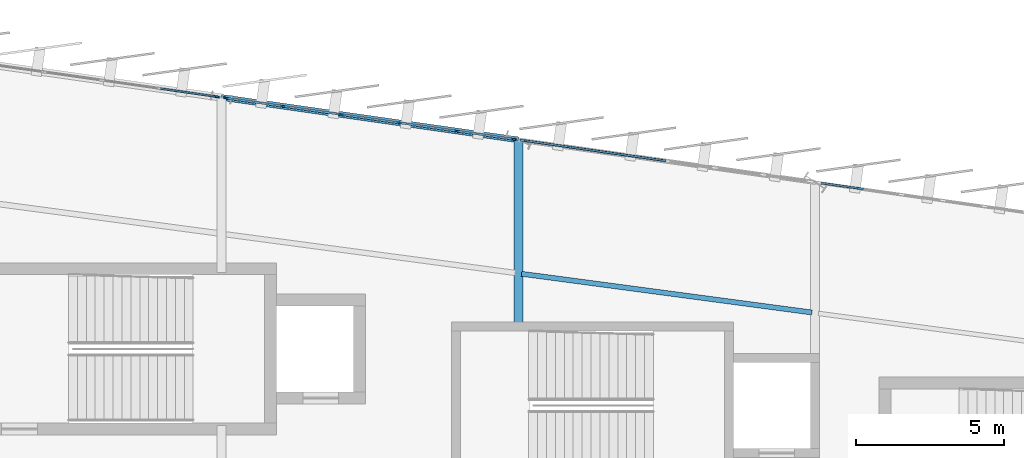
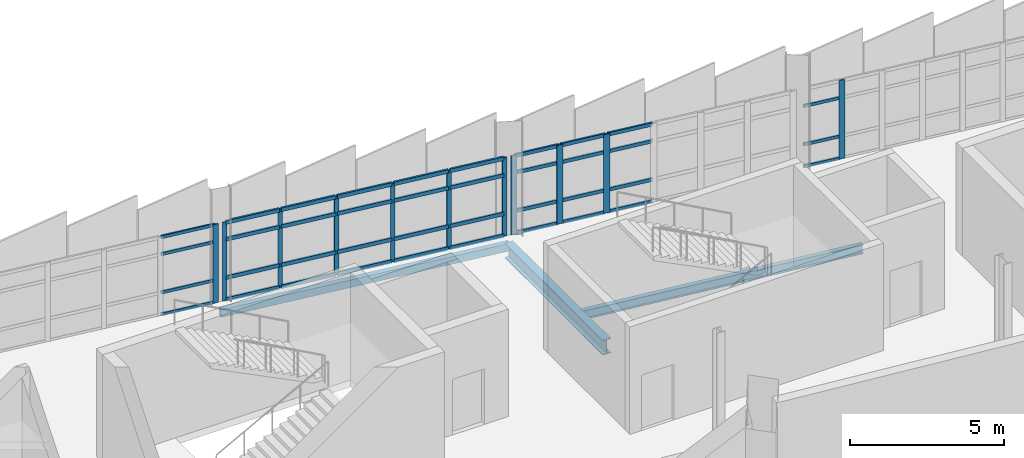
# One storey, part 59 of 134: 50 members, 3 beams, 4 elements without a shape of their own.
"""IFC4 building model written with IfcOpenShell, lengths in metres."""

from ifc_helpers import new_model, si_unit, direction, frame, origin, origin_2d, place, context, subcontext, project, spatial, rectangle, hollow_rectangle, i_section, extrude, material, layer, layer_set, material_profile, profile_set, type_object, element, aggregate, save


model = new_model("IFC4")

# Units and contexts
model_context = context("Model", 3, precision=1e-05, world=origin(), true_north=direction((0.0, 1.0)))
body_context = subcontext(model_context, "Body", "Model", "MODEL_VIEW")
ifc_project = project(units=[si_unit("LENGTHUNIT", "METRE"), si_unit("AREAUNIT", "SQUARE_METRE"), si_unit("VOLUMEUNIT", "CUBIC_METRE"), si_unit("PLANEANGLEUNIT", "RADIAN"), si_unit("MASSUNIT", "GRAM", prefix="KILO")], contexts=[model_context])

# Site, building, storey
site_placement = place(None, origin())
site = spatial("IfcSite", under=ifc_project, at=site_placement, CompositionType="ELEMENT")
building_placement = place(site_placement, origin())
building = spatial("IfcBuilding", under=site, at=building_placement, Name="Sohan Crest Arena", CompositionType="ELEMENT")
storey_placement = place(building_placement, frame((0.0, 0.0, 4.5)))
storey = spatial("IfcBuildingStorey", under=building, at=storey_placement, Name="L01", CompositionType="ELEMENT", Elevation=4.5)

# Curtain wall, members
ifc_material_1 = material(Name="Thermally broken anodised aluminium", Category="aluminium")
ifc_layer_1 = layer(ifc_material_1, 0.219970703125, Name="Thermally broken anodised aluminium")
ifc_layer_set_1 = layer_set([ifc_layer_1], Name="Thermally broken anodised aluminium")
curtain_wall_type_1 = type_object("IfcCurtainWallType", Name="ARC-CW03", PredefinedType="NOTDEFINED", material=ifc_layer_set_1)
curtain_wall_1_placement = place(storey_placement, origin())
curtain_wall_1 = element("IfcCurtainWall", 1, at=curtain_wall_1_placement, inside=storey, type_object=curtain_wall_type_1, Name="Unitised curtain wall CW-048", PredefinedType="NOTDEFINED")
ifc_material_profile_1 = material_profile(ifc_material_1, rectangle(XDim=0.06005859375, YDim=0.159912109375, at=origin_2d()), Name="ALU-MULL 60x160")
ifc_profile_set_1 = profile_set([ifc_material_profile_1], Name="Thermally broken anodised aluminium")
member_type_1 = type_object("IfcMemberType", Name="ARC-CW-ML01", PredefinedType="MULLION", material=ifc_profile_set_1)
member_1_placement = place(storey_placement, frame((117.84130859375, 123.165283203125, 0.0), z_axis=(0.0, 0.0, 1.0), x_axis=(-0.141449808729, -0.989945428602, 0.0)))
member_1 = element("IfcMember", 2, at=member_1_placement, type_object=member_type_1, Name="CW-048 mullion 1", PredefinedType="MULLION", context=body_context, shape_type="SweptSolid", body=[
    extrude(rectangle(XDim=0.06005859375, YDim=0.159912109375, at=origin_2d()), origin(), (0.0, 0.0, 1.0), 3.1201171875),
])
member_2_placement = place(storey_placement, frame((115.922607421875, 123.439453125, 0.0), z_axis=(0.0, 0.0, 1.0), x_axis=(-0.141449808729, -0.989945428602, 0.0)))
member_2 = element("IfcMember", 3, at=member_2_placement, type_object=member_type_1, Name="CW-048 mullion 2", PredefinedType="MULLION", context=body_context, shape_type="SweptSolid", body=[
    extrude(rectangle(XDim=0.06005859375, YDim=0.159912109375, at=origin_2d()), origin(), (0.0, 0.0, 1.0), 3.1201171875),
])
member_3_placement = place(storey_placement, frame((113.97412109375, 123.7177734375, 0.0), z_axis=(0.0, 0.0, 1.0), x_axis=(-0.141449808729, -0.989945428602, 0.0)))
member_3 = element("IfcMember", 4, at=member_3_placement, type_object=member_type_1, Name="CW-048 mullion 3", PredefinedType="MULLION", context=body_context, shape_type="SweptSolid", body=[
    extrude(rectangle(XDim=0.06005859375, YDim=0.159912109375, at=origin_2d()), origin(), (0.0, 0.0, 1.0), 3.1201171875),
])
member_4_placement = place(storey_placement, frame((112.02587890625, 123.99609375, 0.0), z_axis=(0.0, 0.0, 1.0), x_axis=(-0.141449808729, -0.989945428602, 0.0)))
member_4 = element("IfcMember", 5, at=member_4_placement, type_object=member_type_1, Name="CW-048 mullion 4", PredefinedType="MULLION", context=body_context, shape_type="SweptSolid", body=[
    extrude(rectangle(XDim=0.06005859375, YDim=0.159912109375, at=origin_2d()), origin(), (0.0, 0.0, 1.0), 3.1201171875),
])
member_5_placement = place(storey_placement, frame((110.077392578125, 124.274658203125, 0.0), z_axis=(0.0, 0.0, 1.0), x_axis=(-0.141449808729, -0.989945428602, 0.0)))
member_5 = element("IfcMember", 6, at=member_5_placement, type_object=member_type_1, Name="CW-048 mullion 5", PredefinedType="MULLION", context=body_context, shape_type="SweptSolid", body=[
    extrude(rectangle(XDim=0.06005859375, YDim=0.159912109375, at=origin_2d()), origin(), (0.0, 0.0, 1.0), 3.1201171875),
])
member_6_placement = place(storey_placement, frame((108.15869140625, 124.548828125, 0.0), z_axis=(0.0, 0.0, 1.0), x_axis=(-0.141449808729, -0.989945428602, 0.0)))
member_6 = element("IfcMember", 7, at=member_6_placement, type_object=member_type_1, Name="CW-048 mullion 6", PredefinedType="MULLION", context=body_context, shape_type="SweptSolid", body=[
    extrude(rectangle(XDim=0.06005859375, YDim=0.159912109375, at=origin_2d()), origin(), (0.0, 0.0, 1.0), 3.1201171875),
])

# Curtain wall, member
ifc_layer_2 = layer(ifc_material_1, 0.239990234375, Name="Thermally broken anodised aluminium")
ifc_layer_set_2 = layer_set([ifc_layer_2], Name="Thermally broken anodised aluminium")
curtain_wall_type_2 = type_object("IfcCurtainWallType", Name="ARC-CW04", PredefinedType="NOTDEFINED", material=ifc_layer_set_2)
curtain_wall_2_placement = place(storey_placement, origin())
curtain_wall_2 = element("IfcCurtainWall", 8, at=curtain_wall_2_placement, inside=storey, type_object=curtain_wall_type_2, Name="Unitised curtain wall CW-049", PredefinedType="NOTDEFINED")
ifc_material_profile_2 = material_profile(ifc_material_1, rectangle(XDim=0.06494140625, YDim=0.179931640625, at=origin_2d()), Name="ALU-MULL 65x180")
ifc_profile_set_2 = profile_set([ifc_material_profile_2], Name="Thermally broken anodised aluminium")
member_type_2 = type_object("IfcMemberType", Name="ARC-CW-ML02", PredefinedType="MULLION", material=ifc_profile_set_2)
member_7_placement = place(storey_placement, frame((107.8388671875, 124.593505859375, 0.0), z_axis=(0.0, 0.0, 1.0), x_axis=(-0.141549389674, -0.989931194722, 0.0)))
member_7 = element("IfcMember", 9, at=member_7_placement, type_object=member_type_2, Name="CW-049 mullion 1", PredefinedType="MULLION", context=body_context, shape_type="SweptSolid", body=[
    extrude(rectangle(XDim=0.06494140625, YDim=0.179931640625, at=origin_2d()), origin(), (0.0, 0.0, 1.0), 3.1201171875),
])

ifc_layer_3 = layer(ifc_material_1, 0.179931640625, Name="Thermally broken anodised aluminium")
ifc_layer_set_3 = layer_set([ifc_layer_3], Name="Thermally broken anodised aluminium")
curtain_wall_type_3 = type_object("IfcCurtainWallType", Name="ARC-CW01", PredefinedType="NOTDEFINED", material=ifc_layer_set_3)
curtain_wall_3_placement = place(storey_placement, origin())
curtain_wall_3 = element("IfcCurtainWall", 10, at=curtain_wall_3_placement, inside=storey, type_object=curtain_wall_type_3, Name="Unitised curtain wall CW-046", PredefinedType="NOTDEFINED")
ifc_material_profile_3 = material_profile(ifc_material_1, rectangle(XDim=0.070068359375, YDim=0.199951171875, at=origin_2d()), Name="ALU-MULL 70x200")
ifc_profile_set_3 = profile_set([ifc_material_profile_3], Name="Thermally broken anodised aluminium")
member_type_3 = type_object("IfcMemberType", Name="ARC-CW-ML03", PredefinedType="MULLION", material=ifc_profile_set_3)
member_8_placement = place(storey_placement, frame((129.520751953125, 121.4970703125, 0.0), z_axis=(0.0, 0.0, 1.0), x_axis=(-0.141449808729, -0.989945428602, 0.0)))
member_8 = element("IfcMember", 11, at=member_8_placement, type_object=member_type_3, Name="CW-046 mullion 7", PredefinedType="MULLION", context=body_context, shape_type="SweptSolid", body=[
    extrude(rectangle(XDim=0.070068359375, YDim=0.199951171875, at=origin_2d()), origin(), (0.0, 0.0, 1.0), 3.1201171875),
])

# Curtain wall, members
ifc_layer_4 = layer(ifc_material_1, 0.199951171875, Name="Thermally broken anodised aluminium")
ifc_layer_set_4 = layer_set([ifc_layer_4], Name="Thermally broken anodised aluminium")
curtain_wall_type_4 = type_object("IfcCurtainWallType", Name="ARC-CW02", PredefinedType="NOTDEFINED", material=ifc_layer_set_4)
curtain_wall_4_placement = place(storey_placement, origin())
curtain_wall_4 = element("IfcCurtainWall", 12, at=curtain_wall_4_placement, inside=storey, type_object=curtain_wall_type_4, Name="Unitised curtain wall CW-047", PredefinedType="NOTDEFINED")
ifc_material_profile_4 = material_profile(ifc_material_1, rectangle(XDim=0.074951171875, YDim=0.219970703125, at=origin_2d()), Name="ALU-MULL 75x220")
ifc_profile_set_4 = profile_set([ifc_material_profile_4], Name="Thermally broken anodised aluminium")
member_type_4 = type_object("IfcMemberType", Name="ARC-CW-ML04", PredefinedType="MULLION", material=ifc_profile_set_4)
member_9_placement = place(storey_placement, frame((121.376220703125, 122.66064453125, 0.0), z_axis=(0.0, 0.0, 1.0), x_axis=(-0.141549389674, -0.989931194722, 0.0)))
member_9 = element("IfcMember", 13, at=member_9_placement, type_object=member_type_4, Name="CW-047 mullion 5", PredefinedType="MULLION", context=body_context, shape_type="SweptSolid", body=[
    extrude(rectangle(XDim=0.074951171875, YDim=0.219970703125, at=origin_2d()), origin(), (0.0, 0.0, 1.0), 3.1201171875),
])
member_10_placement = place(storey_placement, frame((119.752685546875, 122.892822265625, 0.0), z_axis=(0.0, 0.0, 1.0), x_axis=(-0.141549389674, -0.989931194722, 0.0)))
member_10 = element("IfcMember", 14, at=member_10_placement, type_object=member_type_4, Name="CW-047 mullion 6", PredefinedType="MULLION", context=body_context, shape_type="SweptSolid", body=[
    extrude(rectangle(XDim=0.074951171875, YDim=0.219970703125, at=origin_2d()), origin(), (0.0, 0.0, 1.0), 3.1201171875),
])
member_11_placement = place(storey_placement, frame((118.166015625, 123.11962890625, 0.0), z_axis=(0.0, 0.0, 1.0), x_axis=(-0.141549389674, -0.989931194722, 0.0)))
member_11 = element("IfcMember", 15, at=member_11_placement, type_object=member_type_4, Name="CW-047 mullion 7", PredefinedType="MULLION", context=body_context, shape_type="SweptSolid", body=[
    extrude(rectangle(XDim=0.074951171875, YDim=0.219970703125, at=origin_2d()), origin(), (0.0, 0.0, 1.0), 3.1201171875),
])

# Member
ifc_material_profile_5 = material_profile(ifc_material_1, rectangle(XDim=0.06005859375, YDim=0.1201171875, at=origin_2d()), Name="ALU-TRAN 60x120")
ifc_profile_set_5 = profile_set([ifc_material_profile_5], Name="Thermally broken anodised aluminium")
member_type_5 = type_object("IfcMemberType", Name="ARC-CW-TR01", PredefinedType="USERDEFINED", material=ifc_profile_set_5)
member_12_placement = place(storey_placement, frame((129.486083984375, 121.502197265625, 0.030029296875), z_axis=(-0.989964501762, 0.141316259683, 0.0), x_axis=(-0.141316259683, -0.989964501762, 0.0)))
member_12 = element("IfcMember", 16, at=member_12_placement, type_object=member_type_5, Name="CW-046 transom 7.1", ObjectType="TRANSOM", PredefinedType="USERDEFINED", context=body_context, shape_type="SweptSolid", body=[
    extrude(rectangle(XDim=0.06005859375, YDim=0.1201171875, at=origin_2d()), origin(), (0.0, 0.0, 1.0), 1.30078125),
])

member_13_placement = place(storey_placement, frame((129.486083984375, 121.502197265625, 0.89990234375), z_axis=(-0.989964501762, 0.141316259683, 0.0), x_axis=(-0.141316259683, -0.989964501762, 0.0)))
member_13 = element("IfcMember", 17, at=member_13_placement, type_object=member_type_5, Name="CW-046 transom 7.2", ObjectType="TRANSOM", PredefinedType="USERDEFINED", context=body_context, shape_type="SweptSolid", body=[
    extrude(rectangle(XDim=0.06005859375, YDim=0.1201171875, at=origin_2d()), origin(), (0.0, 0.0, 1.0), 1.30078125),
])

member_14_placement = place(storey_placement, frame((129.486083984375, 121.502197265625, 2.419921875), z_axis=(-0.989964501762, 0.141316259683, 0.0), x_axis=(-0.141316259683, -0.989964501762, 0.0)))
member_14 = element("IfcMember", 18, at=member_14_placement, type_object=member_type_5, Name="CW-046 transom 7.3", ObjectType="TRANSOM", PredefinedType="USERDEFINED", context=body_context, shape_type="SweptSolid", body=[
    extrude(rectangle(XDim=0.06005859375, YDim=0.1201171875, at=origin_2d()), origin(), (0.0, 0.0, 1.0), 1.30078125),
])

aggregate(curtain_wall_3, [member_8, member_12, member_13, member_14])

member_15_placement = place(storey_placement, frame((107.806640625, 124.59814453125, 0.030029296875), z_axis=(-0.989923374667, 0.141604068756, 0.0), x_axis=(-0.141604068756, -0.989923374667, 0.0)))
member_15 = element("IfcMember", 19, at=member_15_placement, type_object=member_type_5, Name="CW-049 transom 1.1", ObjectType="TRANSOM", PredefinedType="USERDEFINED", context=body_context, shape_type="SweptSolid", body=[
    extrude(rectangle(XDim=0.06005859375, YDim=0.1201171875, at=origin_2d()), origin(), (0.0, 0.0, 1.0), 1.87060546875),
])

member_16_placement = place(storey_placement, frame((107.806640625, 124.59814453125, 0.89990234375), z_axis=(-0.989923374667, 0.141604068756, 0.0), x_axis=(-0.141604068756, -0.989923374667, 0.0)))
member_16 = element("IfcMember", 20, at=member_16_placement, type_object=member_type_5, Name="CW-049 transom 1.2", ObjectType="TRANSOM", PredefinedType="USERDEFINED", context=body_context, shape_type="SweptSolid", body=[
    extrude(rectangle(XDim=0.06005859375, YDim=0.1201171875, at=origin_2d()), origin(), (0.0, 0.0, 1.0), 1.87060546875),
])

member_17_placement = place(storey_placement, frame((107.806640625, 124.59814453125, 2.419921875), z_axis=(-0.989923374667, 0.141604068756, 0.0), x_axis=(-0.141604068756, -0.989923374667, 0.0)))
member_17 = element("IfcMember", 21, at=member_17_placement, type_object=member_type_5, Name="CW-049 transom 1.3", ObjectType="TRANSOM", PredefinedType="USERDEFINED", context=body_context, shape_type="SweptSolid", body=[
    extrude(rectangle(XDim=0.06005859375, YDim=0.1201171875, at=origin_2d()), origin(), (0.0, 0.0, 1.0), 1.87060546875),
])

member_18_placement = place(storey_placement, frame((107.806640625, 124.59814453125, 3.090087890625), z_axis=(-0.989923374667, 0.141604068756, 0.0), x_axis=(-0.141604068756, -0.989923374667, 0.0)))
member_18 = element("IfcMember", 22, at=member_18_placement, type_object=member_type_5, Name="CW-049 transom 1.4", ObjectType="TRANSOM", PredefinedType="USERDEFINED", context=body_context, shape_type="SweptSolid", body=[
    extrude(rectangle(XDim=0.06005859375, YDim=0.1201171875, at=origin_2d()), origin(), (0.0, 0.0, 1.0), 1.87060546875),
])

aggregate(curtain_wall_2, [member_7, member_15, member_16, member_17, member_18])

ifc_material_profile_6 = material_profile(ifc_material_1, rectangle(XDim=0.06494140625, YDim=0.139892578125, at=origin_2d()), Name="ALU-TRAN 65x140")
ifc_profile_set_6 = profile_set([ifc_material_profile_6], Name="Thermally broken anodised aluminium")
member_type_6 = type_object("IfcMemberType", Name="ARC-CW-TR02", PredefinedType="USERDEFINED", material=ifc_profile_set_6)
member_19_placement = place(storey_placement, frame((122.962890625, 122.433837890625, 0.032470703125), z_axis=(-0.989940131832, 0.141486873554, 0.0), x_axis=(-0.141486873554, -0.989940131832, 0.0)))
member_19 = element("IfcMember", 23, at=member_19_placement, type_object=member_type_6, Name="CW-047 transom 4.1", ObjectType="TRANSOM", PredefinedType="USERDEFINED", context=body_context, shape_type="SweptSolid", body=[
    extrude(rectangle(XDim=0.06494140625, YDim=0.139892578125, at=origin_2d()), origin(), (0.0, 0.0, 1.0), 1.56494140625),
])

member_20_placement = place(storey_placement, frame((122.962890625, 122.433837890625, 0.89990234375), z_axis=(-0.989940131832, 0.141486873554, 0.0), x_axis=(-0.141486873554, -0.989940131832, 0.0)))
member_20 = element("IfcMember", 24, at=member_20_placement, type_object=member_type_6, Name="CW-047 transom 4.2", ObjectType="TRANSOM", PredefinedType="USERDEFINED", context=body_context, shape_type="SweptSolid", body=[
    extrude(rectangle(XDim=0.06494140625, YDim=0.139892578125, at=origin_2d()), origin(), (0.0, 0.0, 1.0), 1.56494140625),
])

member_21_placement = place(storey_placement, frame((122.962890625, 122.433837890625, 2.419921875), z_axis=(-0.989940131832, 0.141486873554, 0.0), x_axis=(-0.141486873554, -0.989940131832, 0.0)))
member_21 = element("IfcMember", 25, at=member_21_placement, type_object=member_type_6, Name="CW-047 transom 4.3", ObjectType="TRANSOM", PredefinedType="USERDEFINED", context=body_context, shape_type="SweptSolid", body=[
    extrude(rectangle(XDim=0.06494140625, YDim=0.139892578125, at=origin_2d()), origin(), (0.0, 0.0, 1.0), 1.56494140625),
])

member_22_placement = place(storey_placement, frame((122.962890625, 122.433837890625, 3.08740234375), z_axis=(-0.989940131832, 0.141486873554, 0.0), x_axis=(-0.141486873554, -0.989940131832, 0.0)))
member_22 = element("IfcMember", 26, at=member_22_placement, type_object=member_type_6, Name="CW-047 transom 4.4", ObjectType="TRANSOM", PredefinedType="USERDEFINED", context=body_context, shape_type="SweptSolid", body=[
    extrude(rectangle(XDim=0.06494140625, YDim=0.139892578125, at=origin_2d()), origin(), (0.0, 0.0, 1.0), 1.56494140625),
])

member_23_placement = place(storey_placement, frame((121.339111328125, 122.666015625, 0.032470703125), z_axis=(-0.989940131832, 0.141486873554, 0.0), x_axis=(-0.141486873554, -0.989940131832, 0.0)))
member_23 = element("IfcMember", 27, at=member_23_placement, type_object=member_type_6, Name="CW-047 transom 5.1", ObjectType="TRANSOM", PredefinedType="USERDEFINED", context=body_context, shape_type="SweptSolid", body=[
    extrude(rectangle(XDim=0.06494140625, YDim=0.139892578125, at=origin_2d()), origin(), (0.0, 0.0, 1.0), 1.56494140625),
])

member_24_placement = place(storey_placement, frame((121.339111328125, 122.666015625, 0.89990234375), z_axis=(-0.989940131832, 0.141486873554, 0.0), x_axis=(-0.141486873554, -0.989940131832, 0.0)))
member_24 = element("IfcMember", 28, at=member_24_placement, type_object=member_type_6, Name="CW-047 transom 5.2", ObjectType="TRANSOM", PredefinedType="USERDEFINED", context=body_context, shape_type="SweptSolid", body=[
    extrude(rectangle(XDim=0.06494140625, YDim=0.139892578125, at=origin_2d()), origin(), (0.0, 0.0, 1.0), 1.56494140625),
])

member_25_placement = place(storey_placement, frame((121.339111328125, 122.666015625, 2.419921875), z_axis=(-0.989940131832, 0.141486873554, 0.0), x_axis=(-0.141486873554, -0.989940131832, 0.0)))
member_25 = element("IfcMember", 29, at=member_25_placement, type_object=member_type_6, Name="CW-047 transom 5.3", ObjectType="TRANSOM", PredefinedType="USERDEFINED", context=body_context, shape_type="SweptSolid", body=[
    extrude(rectangle(XDim=0.06494140625, YDim=0.139892578125, at=origin_2d()), origin(), (0.0, 0.0, 1.0), 1.56494140625),
])

member_26_placement = place(storey_placement, frame((121.339111328125, 122.666015625, 3.08740234375), z_axis=(-0.989940131832, 0.141486873554, 0.0), x_axis=(-0.141486873554, -0.989940131832, 0.0)))
member_26 = element("IfcMember", 30, at=member_26_placement, type_object=member_type_6, Name="CW-047 transom 5.4", ObjectType="TRANSOM", PredefinedType="USERDEFINED", context=body_context, shape_type="SweptSolid", body=[
    extrude(rectangle(XDim=0.06494140625, YDim=0.139892578125, at=origin_2d()), origin(), (0.0, 0.0, 1.0), 1.56494140625),
])

member_27_placement = place(storey_placement, frame((119.715576171875, 122.898193359375, 0.032470703125), z_axis=(-0.989927110041, 0.141577953107, 0.0), x_axis=(-0.141577953107, -0.989927110041, 0.0)))
member_27 = element("IfcMember", 31, at=member_27_placement, type_object=member_type_6, Name="CW-047 transom 6.1", ObjectType="TRANSOM", PredefinedType="USERDEFINED", context=body_context, shape_type="SweptSolid", body=[
    extrude(rectangle(XDim=0.06494140625, YDim=0.139892578125, at=origin_2d()), origin(), (0.0, 0.0, 1.0), 1.52783203125),
])

member_28_placement = place(storey_placement, frame((119.715576171875, 122.898193359375, 0.89990234375), z_axis=(-0.989927110041, 0.141577953107, 0.0), x_axis=(-0.141577953107, -0.989927110041, 0.0)))
member_28 = element("IfcMember", 32, at=member_28_placement, type_object=member_type_6, Name="CW-047 transom 6.2", ObjectType="TRANSOM", PredefinedType="USERDEFINED", context=body_context, shape_type="SweptSolid", body=[
    extrude(rectangle(XDim=0.06494140625, YDim=0.139892578125, at=origin_2d()), origin(), (0.0, 0.0, 1.0), 1.52783203125),
])

member_29_placement = place(storey_placement, frame((119.715576171875, 122.898193359375, 2.419921875), z_axis=(-0.989927110041, 0.141577953107, 0.0), x_axis=(-0.141577953107, -0.989927110041, 0.0)))
member_29 = element("IfcMember", 33, at=member_29_placement, type_object=member_type_6, Name="CW-047 transom 6.3", ObjectType="TRANSOM", PredefinedType="USERDEFINED", context=body_context, shape_type="SweptSolid", body=[
    extrude(rectangle(XDim=0.06494140625, YDim=0.139892578125, at=origin_2d()), origin(), (0.0, 0.0, 1.0), 1.52783203125),
])

member_30_placement = place(storey_placement, frame((119.715576171875, 122.898193359375, 3.08740234375), z_axis=(-0.989927110041, 0.141577953107, 0.0), x_axis=(-0.141577953107, -0.989927110041, 0.0)))
member_30 = element("IfcMember", 34, at=member_30_placement, type_object=member_type_6, Name="CW-047 transom 6.4", ObjectType="TRANSOM", PredefinedType="USERDEFINED", context=body_context, shape_type="SweptSolid", body=[
    extrude(rectangle(XDim=0.06494140625, YDim=0.139892578125, at=origin_2d()), origin(), (0.0, 0.0, 1.0), 1.52783203125),
])

aggregate(curtain_wall_4, [member_9, member_10, member_11, member_19, member_20, member_21, member_22, member_23, member_24, member_25, member_26, member_27, member_28, member_29, member_30])

ifc_material_profile_7 = material_profile(ifc_material_1, rectangle(XDim=0.070068359375, YDim=0.14990234375, at=origin_2d()), Name="ALU-TRAN 70x150")
ifc_profile_set_7 = profile_set([ifc_material_profile_7], Name="Thermally broken anodised aluminium")
member_type_7 = type_object("IfcMemberType", Name="ARC-CW-TR03", PredefinedType="USERDEFINED", material=ifc_profile_set_7)
member_31_placement = place(storey_placement, frame((117.8115234375, 123.16943359375, 0.034912109375), z_axis=(-0.989946893502, 0.141439556156, 0.0), x_axis=(-0.141439556156, -0.989946893502, 0.0)))
member_31 = element("IfcMember", 35, at=member_31_placement, type_object=member_type_7, Name="CW-048 transom 1.1", ObjectType="TRANSOM", PredefinedType="USERDEFINED", context=body_context, shape_type="SweptSolid", body=[
    extrude(rectangle(XDim=0.070068359375, YDim=0.14990234375, at=origin_2d()), origin(), (0.0, 0.0, 1.0), 1.8779296875),
])

member_32_placement = place(storey_placement, frame((117.8115234375, 123.16943359375, 0.89990234375), z_axis=(-0.989946893502, 0.141439556156, 0.0), x_axis=(-0.141439556156, -0.989946893502, 0.0)))
member_32 = element("IfcMember", 36, at=member_32_placement, type_object=member_type_7, Name="CW-048 transom 1.2", ObjectType="TRANSOM", PredefinedType="USERDEFINED", context=body_context, shape_type="SweptSolid", body=[
    extrude(rectangle(XDim=0.070068359375, YDim=0.14990234375, at=origin_2d()), origin(), (0.0, 0.0, 1.0), 1.8779296875),
])

member_33_placement = place(storey_placement, frame((117.8115234375, 123.16943359375, 2.419921875), z_axis=(-0.989946893502, 0.141439556156, 0.0), x_axis=(-0.141439556156, -0.989946893502, 0.0)))
member_33 = element("IfcMember", 37, at=member_33_placement, type_object=member_type_7, Name="CW-048 transom 1.3", ObjectType="TRANSOM", PredefinedType="USERDEFINED", context=body_context, shape_type="SweptSolid", body=[
    extrude(rectangle(XDim=0.070068359375, YDim=0.14990234375, at=origin_2d()), origin(), (0.0, 0.0, 1.0), 1.8779296875),
])

member_34_placement = place(storey_placement, frame((117.8115234375, 123.16943359375, 3.0849609375), z_axis=(-0.989946893502, 0.141439556156, 0.0), x_axis=(-0.141439556156, -0.989946893502, 0.0)))
member_34 = element("IfcMember", 38, at=member_34_placement, type_object=member_type_7, Name="CW-048 transom 1.4", ObjectType="TRANSOM", PredefinedType="USERDEFINED", context=body_context, shape_type="SweptSolid", body=[
    extrude(rectangle(XDim=0.070068359375, YDim=0.14990234375, at=origin_2d()), origin(), (0.0, 0.0, 1.0), 1.8779296875),
])

member_35_placement = place(storey_placement, frame((115.892822265625, 123.443603515625, 0.034912109375), z_axis=(-0.989936694771, 0.141510919532, 0.0), x_axis=(-0.141510919532, -0.989936694771, 0.0)))
member_35 = element("IfcMember", 39, at=member_35_placement, type_object=member_type_7, Name="CW-048 transom 2.1", ObjectType="TRANSOM", PredefinedType="USERDEFINED", context=body_context, shape_type="SweptSolid", body=[
    extrude(rectangle(XDim=0.070068359375, YDim=0.14990234375, at=origin_2d()), origin(), (0.0, 0.0, 1.0), 1.908203125),
])

member_36_placement = place(storey_placement, frame((115.892822265625, 123.443603515625, 0.89990234375), z_axis=(-0.989936694771, 0.141510919532, 0.0), x_axis=(-0.141510919532, -0.989936694771, 0.0)))
member_36 = element("IfcMember", 40, at=member_36_placement, type_object=member_type_7, Name="CW-048 transom 2.2", ObjectType="TRANSOM", PredefinedType="USERDEFINED", context=body_context, shape_type="SweptSolid", body=[
    extrude(rectangle(XDim=0.070068359375, YDim=0.14990234375, at=origin_2d()), origin(), (0.0, 0.0, 1.0), 1.908203125),
])

member_37_placement = place(storey_placement, frame((115.892822265625, 123.443603515625, 2.419921875), z_axis=(-0.989936694771, 0.141510919532, 0.0), x_axis=(-0.141510919532, -0.989936694771, 0.0)))
member_37 = element("IfcMember", 41, at=member_37_placement, type_object=member_type_7, Name="CW-048 transom 2.3", ObjectType="TRANSOM", PredefinedType="USERDEFINED", context=body_context, shape_type="SweptSolid", body=[
    extrude(rectangle(XDim=0.070068359375, YDim=0.14990234375, at=origin_2d()), origin(), (0.0, 0.0, 1.0), 1.908203125),
])

member_38_placement = place(storey_placement, frame((115.892822265625, 123.443603515625, 3.0849609375), z_axis=(-0.989936694771, 0.141510919532, 0.0), x_axis=(-0.141510919532, -0.989936694771, 0.0)))
member_38 = element("IfcMember", 42, at=member_38_placement, type_object=member_type_7, Name="CW-048 transom 2.4", ObjectType="TRANSOM", PredefinedType="USERDEFINED", context=body_context, shape_type="SweptSolid", body=[
    extrude(rectangle(XDim=0.070068359375, YDim=0.14990234375, at=origin_2d()), origin(), (0.0, 0.0, 1.0), 1.908203125),
])

member_39_placement = place(storey_placement, frame((113.944580078125, 123.721923828125, 0.034912109375), z_axis=(-0.989939256494, 0.141492997891, 0.0), x_axis=(-0.141492997891, -0.989939256494, 0.0)))
member_39 = element("IfcMember", 43, at=member_39_placement, type_object=member_type_7, Name="CW-048 transom 3.1", ObjectType="TRANSOM", PredefinedType="USERDEFINED", context=body_context, shape_type="SweptSolid", body=[
    extrude(rectangle(XDim=0.070068359375, YDim=0.14990234375, at=origin_2d()), origin(), (0.0, 0.0, 1.0), 1.908447265625),
])

member_40_placement = place(storey_placement, frame((113.944580078125, 123.721923828125, 0.89990234375), z_axis=(-0.989939256494, 0.141492997891, 0.0), x_axis=(-0.141492997891, -0.989939256494, 0.0)))
member_40 = element("IfcMember", 44, at=member_40_placement, type_object=member_type_7, Name="CW-048 transom 3.2", ObjectType="TRANSOM", PredefinedType="USERDEFINED", context=body_context, shape_type="SweptSolid", body=[
    extrude(rectangle(XDim=0.070068359375, YDim=0.14990234375, at=origin_2d()), origin(), (0.0, 0.0, 1.0), 1.908447265625),
])

member_41_placement = place(storey_placement, frame((113.944580078125, 123.721923828125, 2.419921875), z_axis=(-0.989939256494, 0.141492997891, 0.0), x_axis=(-0.141492997891, -0.989939256494, 0.0)))
member_41 = element("IfcMember", 45, at=member_41_placement, type_object=member_type_7, Name="CW-048 transom 3.3", ObjectType="TRANSOM", PredefinedType="USERDEFINED", context=body_context, shape_type="SweptSolid", body=[
    extrude(rectangle(XDim=0.070068359375, YDim=0.14990234375, at=origin_2d()), origin(), (0.0, 0.0, 1.0), 1.908447265625),
])

member_42_placement = place(storey_placement, frame((113.944580078125, 123.721923828125, 3.0849609375), z_axis=(-0.989939256494, 0.141492997891, 0.0), x_axis=(-0.141492997891, -0.989939256494, 0.0)))
member_42 = element("IfcMember", 46, at=member_42_placement, type_object=member_type_7, Name="CW-048 transom 3.4", ObjectType="TRANSOM", PredefinedType="USERDEFINED", context=body_context, shape_type="SweptSolid", body=[
    extrude(rectangle(XDim=0.070068359375, YDim=0.14990234375, at=origin_2d()), origin(), (0.0, 0.0, 1.0), 1.908447265625),
])

member_43_placement = place(storey_placement, frame((111.99609375, 124.00048828125, 0.034912109375), z_axis=(-0.989954611041, 0.141385529947, 0.0), x_axis=(-0.141385529947, -0.989954611041, 0.0)))
member_43 = element("IfcMember", 47, at=member_43_placement, type_object=member_type_7, Name="CW-048 transom 4.1", ObjectType="TRANSOM", PredefinedType="USERDEFINED", context=body_context, shape_type="SweptSolid", body=[
    extrude(rectangle(XDim=0.070068359375, YDim=0.14990234375, at=origin_2d()), origin(), (0.0, 0.0, 1.0), 1.908203125),
])

member_44_placement = place(storey_placement, frame((111.99609375, 124.00048828125, 0.89990234375), z_axis=(-0.989954611041, 0.141385529947, 0.0), x_axis=(-0.141385529947, -0.989954611041, 0.0)))
member_44 = element("IfcMember", 48, at=member_44_placement, type_object=member_type_7, Name="CW-048 transom 4.2", ObjectType="TRANSOM", PredefinedType="USERDEFINED", context=body_context, shape_type="SweptSolid", body=[
    extrude(rectangle(XDim=0.070068359375, YDim=0.14990234375, at=origin_2d()), origin(), (0.0, 0.0, 1.0), 1.908203125),
])

member_45_placement = place(storey_placement, frame((111.99609375, 124.00048828125, 2.419921875), z_axis=(-0.989954611041, 0.141385529947, 0.0), x_axis=(-0.141385529947, -0.989954611041, 0.0)))
member_45 = element("IfcMember", 49, at=member_45_placement, type_object=member_type_7, Name="CW-048 transom 4.3", ObjectType="TRANSOM", PredefinedType="USERDEFINED", context=body_context, shape_type="SweptSolid", body=[
    extrude(rectangle(XDim=0.070068359375, YDim=0.14990234375, at=origin_2d()), origin(), (0.0, 0.0, 1.0), 1.908203125),
])

member_46_placement = place(storey_placement, frame((111.99609375, 124.00048828125, 3.0849609375), z_axis=(-0.989954611041, 0.141385529947, 0.0), x_axis=(-0.141385529947, -0.989954611041, 0.0)))
member_46 = element("IfcMember", 50, at=member_46_placement, type_object=member_type_7, Name="CW-048 transom 4.4", ObjectType="TRANSOM", PredefinedType="USERDEFINED", context=body_context, shape_type="SweptSolid", body=[
    extrude(rectangle(XDim=0.070068359375, YDim=0.14990234375, at=origin_2d()), origin(), (0.0, 0.0, 1.0), 1.908203125),
])

member_47_placement = place(storey_placement, frame((110.047607421875, 124.27880859375, 0.034912109375), z_axis=(-0.989946893502, 0.141439556156, 0.0), x_axis=(-0.141439556156, -0.989946893502, 0.0)))
member_47 = element("IfcMember", 51, at=member_47_placement, type_object=member_type_7, Name="CW-048 transom 5.1", ObjectType="TRANSOM", PredefinedType="USERDEFINED", context=body_context, shape_type="SweptSolid", body=[
    extrude(rectangle(XDim=0.070068359375, YDim=0.14990234375, at=origin_2d()), origin(), (0.0, 0.0, 1.0), 1.8779296875),
])

member_48_placement = place(storey_placement, frame((110.047607421875, 124.27880859375, 0.89990234375), z_axis=(-0.989946893502, 0.141439556156, 0.0), x_axis=(-0.141439556156, -0.989946893502, 0.0)))
member_48 = element("IfcMember", 52, at=member_48_placement, type_object=member_type_7, Name="CW-048 transom 5.2", ObjectType="TRANSOM", PredefinedType="USERDEFINED", context=body_context, shape_type="SweptSolid", body=[
    extrude(rectangle(XDim=0.070068359375, YDim=0.14990234375, at=origin_2d()), origin(), (0.0, 0.0, 1.0), 1.8779296875),
])

member_49_placement = place(storey_placement, frame((110.047607421875, 124.27880859375, 2.419921875), z_axis=(-0.989946893502, 0.141439556156, 0.0), x_axis=(-0.141439556156, -0.989946893502, 0.0)))
member_49 = element("IfcMember", 53, at=member_49_placement, type_object=member_type_7, Name="CW-048 transom 5.3", ObjectType="TRANSOM", PredefinedType="USERDEFINED", context=body_context, shape_type="SweptSolid", body=[
    extrude(rectangle(XDim=0.070068359375, YDim=0.14990234375, at=origin_2d()), origin(), (0.0, 0.0, 1.0), 1.8779296875),
])

member_50_placement = place(storey_placement, frame((110.047607421875, 124.27880859375, 3.0849609375), z_axis=(-0.989946893502, 0.141439556156, 0.0), x_axis=(-0.141439556156, -0.989946893502, 0.0)))
member_50 = element("IfcMember", 54, at=member_50_placement, type_object=member_type_7, Name="CW-048 transom 5.4", ObjectType="TRANSOM", PredefinedType="USERDEFINED", context=body_context, shape_type="SweptSolid", body=[
    extrude(rectangle(XDim=0.070068359375, YDim=0.14990234375, at=origin_2d()), origin(), (0.0, 0.0, 1.0), 1.8779296875),
])

aggregate(curtain_wall_1, [member_1, member_2, member_3, member_4, member_5, member_6, member_31, member_32, member_33, member_34, member_35, member_36, member_37, member_38, member_39, member_40, member_41, member_42, member_43, member_44, member_45, member_46, member_47, member_48, member_49, member_50])

# Beams
ifc_material_2 = material(Name="Steel S355", Category="steel")
ifc_material_profile_8 = material_profile(ifc_material_2, i_section(OverallWidth=0.169921875, OverallDepth=0.360107421875, WebThickness=0.008056640625, FlangeThickness=0.0126953125, at=origin_2d()), Name="IPE 360")
ifc_profile_set_8 = profile_set([ifc_material_profile_8], Name="Steel S355")
beam_type_1 = type_object("IfcBeamType", Name="STR-BM-B02", PredefinedType="JOIST", material=ifc_profile_set_8)
beam_1_placement = place(storey_placement, frame((127.89111328125, 117.325927734375, -0.455078125), z_axis=(-0.991232437337, 0.132129690721, 0.0), x_axis=(-0.132129690721, -0.991232437337, 0.0)))
element("IfcBeam", 55, at=beam_1_placement, inside=storey, type_object=beam_type_1, Name="Structural beam J-L01-1234", PredefinedType="JOIST", context=body_context, shape_type="SweptSolid", body=[
    extrude(i_section(OverallWidth=0.169921875, OverallDepth=0.360107421875, WebThickness=0.008056640625, FlangeThickness=0.0126953125, at=origin_2d()), origin(), (0.0, 0.0, 1.0), 9.86865234375),
])
ifc_material_profile_9 = material_profile(ifc_material_2, i_section(OverallWidth=0.300048828125, OverallDepth=0.590087890625, WebThickness=0.012939453125, FlangeThickness=0.02490234375, at=origin_2d()), Name="HEA 600")
ifc_profile_set_9 = profile_set([ifc_material_profile_9], Name="Steel S355")
beam_type_2 = type_object("IfcBeamType", Name="STR-BM-B11", PredefinedType="BEAM", material=ifc_profile_set_9)
beam_2_placement = place(storey_placement, frame((118.0, 116.780029296875, -0.570068359375), z_axis=(0.0, 1.0, 0.0), x_axis=(-1.0, 0.0, 0.0)))
element("IfcBeam", 56, at=beam_2_placement, inside=storey, type_object=beam_type_2, Name="Structural beam G-L01-1236", PredefinedType="BEAM", context=body_context, shape_type="SweptSolid", body=[
    extrude(i_section(OverallWidth=0.300048828125, OverallDepth=0.590087890625, WebThickness=0.012939453125, FlangeThickness=0.02490234375, at=origin_2d()), origin(), (0.0, 0.0, 1.0), 6.363037109375),
])
ifc_material_profile_10 = material_profile(ifc_material_2, hollow_rectangle(XDim=0.199951171875, YDim=0.300048828125, WallThickness=0.010009765625, at=origin_2d()), Name="RHS 300x200x10")
ifc_profile_set_10 = profile_set([ifc_material_profile_10], Name="Steel S355")
beam_type_3 = type_object("IfcBeamType", Name="STR-BM-SP03", PredefinedType="SPANDREL", material=ifc_profile_set_10)
beam_3_placement = place(storey_placement, frame((118.0, 123.14306640625, -0.425048828125), z_axis=(-0.989957709412, 0.141363834042, 0.0), x_axis=(-0.141363834042, -0.989957709412, 0.0)))
element("IfcBeam", 57, at=beam_3_placement, inside=storey, type_object=beam_type_3, Name="Structural beam SP-L01-1238", PredefinedType="SPANDREL", context=body_context, shape_type="SweptSolid", body=[
    extrude(hollow_rectangle(XDim=0.199951171875, YDim=0.300048828125, WallThickness=0.010009765625, at=origin_2d()), origin(), (0.0, 0.0, 1.0), 10.1015625),
])

save(model, "model.ifc")
